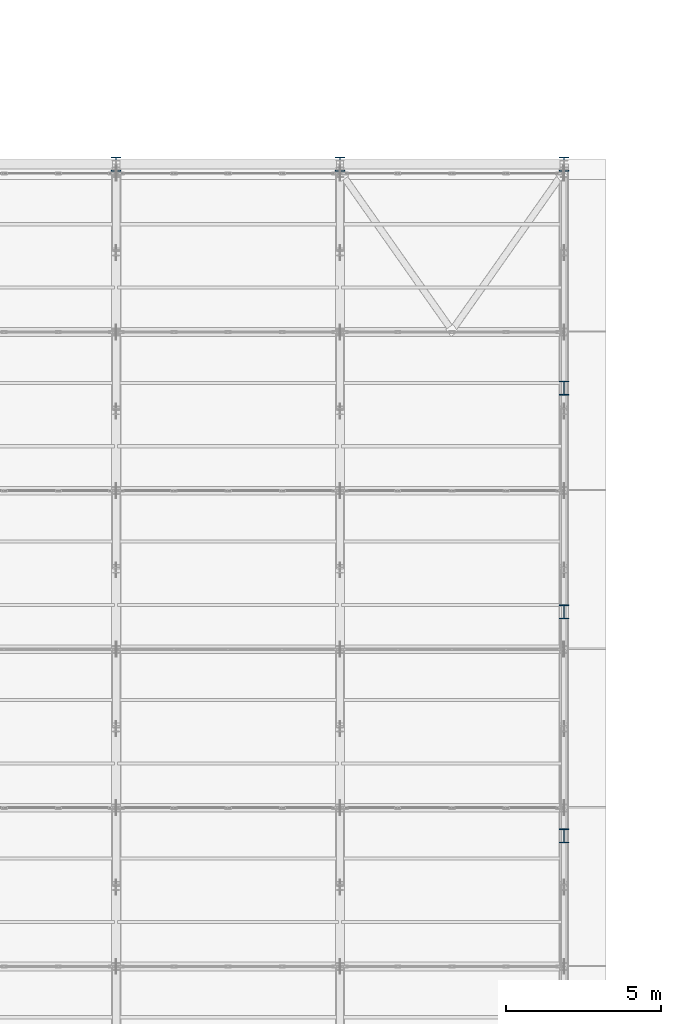
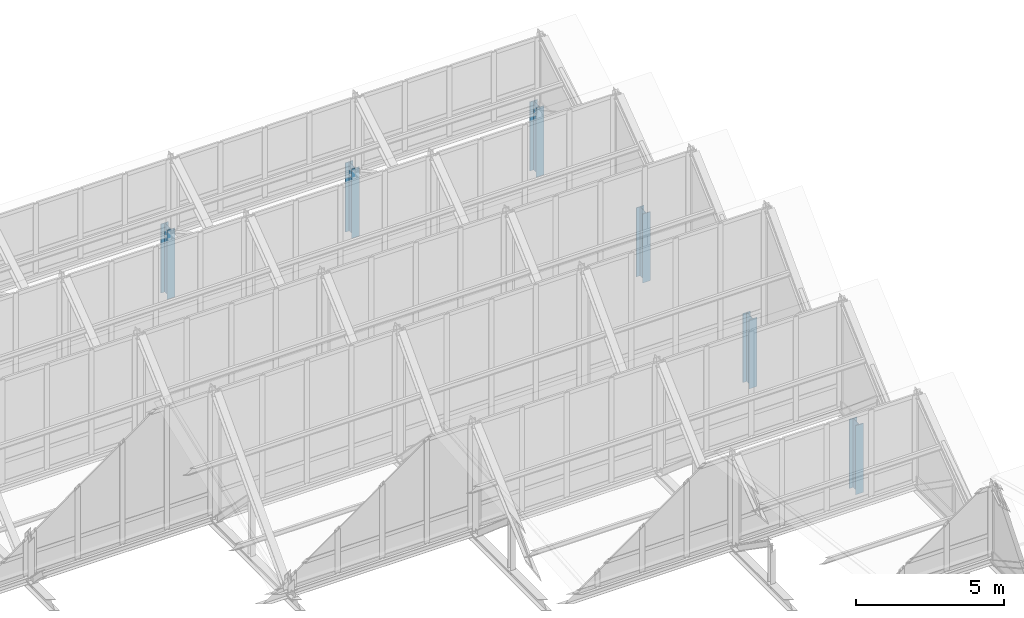
# One storey, part 10 of 157: 6 columns.
"""IFC4 building model written with IfcOpenShell, lengths in metres."""

import ifcopenshell
import ifcopenshell.guid

model = None  # the IFC model being written
_history = None  # IfcOwnerHistory: only IFC2X3 demands one
_inside = {}  # id of a spatial element -> (the spatial element, [elements in it])
_under = {}  # id of a project, library or spatial element -> (it, [spatial elements below it])
_declared = {}  # id of a project -> (the project, [libraries it declares])
_typed = {}  # id of a type object -> (the type object, [elements of that type])
_made_of = {}  # id of a material, layer set ... -> (it, [elements and type objects made of it])


def new_model(schema):
    """Start an empty IFC model of exactly this schema.

    Asked for "IFC4X3", IfcOpenShell would pick the latest addendum, in which some entities
    have other attributes; the version numbers below select the first issue.
    IFC2X3 requires an IfcOwnerHistory on every rooted entity: one is made here for all.
    """
    global model, _history
    if schema == "IFC4X3":
        model = ifcopenshell.file(schema_version=(4, 3, 0, 0))
    else:
        model = ifcopenshell.file(schema=schema)
    _inside.clear()
    _under.clear()
    _declared.clear()
    _typed.clear()
    _made_of.clear()
    _history = None
    if model.schema == "IFC2X3":
        org = make("IfcOrganization", Name="unknown")
        user = make(
            "IfcPersonAndOrganization",
            ThePerson=make("IfcPerson", FamilyName="unknown"),
            TheOrganization=org,
        )
        app = make(
            "IfcApplication",
            ApplicationDeveloper=org,
            Version="unknown",
            ApplicationFullName="unknown",
            ApplicationIdentifier="unknown",
        )
        _history = make(
            "IfcOwnerHistory",
            OwningUser=user,
            OwningApplication=app,
            ChangeAction="ADDED",
            CreationDate=0,
        )
    return model


def make(cls, **values):
    """One entity of the class cls with the attributes given. An attribute that is None is left unset."""
    return model.create_entity(
        cls, **{name: value for name, value in values.items() if value is not None}
    )


def rooted(cls, **values):
    """An entity with a GlobalId (a new one), such as an element, a storey or a relation."""
    return make(cls, GlobalId=ifcopenshell.guid.new(), OwnerHistory=_history, **values)


def si_unit(unit_type, name, prefix=None):
    """IfcSIUnit, for example si_unit("LENGTHUNIT", "METRE", prefix="MILLI")."""
    return make("IfcSIUnit", UnitType=unit_type, Prefix=prefix, Name=name)


def assignment(units):
    """IfcUnitAssignment: the units of a project."""
    return None if units is None else make("IfcUnitAssignment", Units=units)


def point(xyz):
    """IfcCartesianPoint."""
    return None if xyz is None else make("IfcCartesianPoint", Coordinates=xyz)


def direction(xyz):
    """IfcDirection."""
    return None if xyz is None else make("IfcDirection", DirectionRatios=xyz)


def frame(location, z_axis=None, x_axis=None):
    """IfcAxis2Placement3D, a coordinate frame: its origin and axes. An axis left out is left unset."""
    return make(
        "IfcAxis2Placement3D",
        Location=point(location),
        Axis=direction(z_axis),
        RefDirection=direction(x_axis),
    )


def frame_2d(location, x_axis=None):
    """IfcAxis2Placement2D, a coordinate frame in the plane: its origin and x axis."""
    return make(
        "IfcAxis2Placement2D", Location=point(location), RefDirection=direction(x_axis)
    )


def origin():
    """The frame at (0, 0, 0) with its axes left unset."""
    return frame((0.0, 0.0, 0.0))


def origin_2d():
    """The frame at (0, 0) in the plane with its x axis left unset."""
    return frame_2d((0.0, 0.0))


def place(relative_to, where):
    """IfcLocalPlacement: puts the frame where relative to a parent placement (None: the world)."""
    return make(
        "IfcLocalPlacement", PlacementRelTo=relative_to, RelativePlacement=where
    )


def context(
    kind, dimensions, precision=None, world=None, true_north=None, identifier=None
):
    """IfcGeometricRepresentationContext, for example the 3D "Model" context."""
    return make(
        "IfcGeometricRepresentationContext",
        ContextIdentifier=identifier,
        ContextType=kind,
        CoordinateSpaceDimension=dimensions,
        Precision=precision,
        WorldCoordinateSystem=world,
        TrueNorth=true_north,
    )


def subcontext(parent, identifier, kind, view, scale=None):
    """IfcGeometricRepresentationSubContext, for example "Body" below "Model"."""
    return make(
        "IfcGeometricRepresentationSubContext",
        ContextIdentifier=identifier,
        ContextType=kind,
        ParentContext=parent,
        TargetScale=scale,
        TargetView=view,
    )


def project(units=None, contexts=None):
    """IfcProject with its units and contexts."""
    return rooted(
        "IfcProject",
        Name="project",
        RepresentationContexts=contexts,
        UnitsInContext=assignment(units),
    )


def spatial(cls, under=None, at=None, **own):
    """A site, building, storey or space (cls), placed at a placement, below another one or the project."""
    s = rooted(cls, ObjectPlacement=at, **own)
    if under is not None:
        _under.setdefault(under.id(), (under, []))[1].append(s)
    return s


def profile(cls, at=None, kind="AREA", **sizes):
    """A parametric profile (cls). Its sizes go by their IFC names, for example OverallWidth=200.0."""
    return make(cls, ProfileType=kind, Position=at, **sizes)


def i_section(**sizes):
    """IfcIShapeProfileDef."""
    return profile("IfcIShapeProfileDef", **sizes)


def extrude(swept, where, along, depth):
    """IfcExtrudedAreaSolid: the profile swept, set in the frame where, extruded along a direction by depth."""
    return make(
        "IfcExtrudedAreaSolid",
        SweptArea=swept,
        Position=where,
        ExtrudedDirection=direction(along),
        Depth=depth,
    )


def shape(context_of_items, identifier, shape_type, items):
    """IfcShapeRepresentation: the items that make up one representation, for example the "Body"."""
    return make(
        "IfcShapeRepresentation",
        ContextOfItems=context_of_items,
        RepresentationIdentifier=identifier,
        RepresentationType=shape_type,
        Items=items,
    )


def material(Name=None, Category=None):
    """IfcMaterial."""
    return make("IfcMaterial", Name=Name, Category=Category)


def material_profile(
    of_material, cross_section, Name=None, Category=None, Priority=None
):
    """IfcMaterialProfile: a cross section and its material."""
    return make(
        "IfcMaterialProfile",
        Name=Name,
        Material=of_material,
        Profile=cross_section,
        Priority=Priority,
        Category=Category,
    )


def profile_set(profiles, Name=None, composite=None):
    """IfcMaterialProfileSet."""
    return make(
        "IfcMaterialProfileSet",
        Name=Name,
        MaterialProfiles=profiles,
        CompositeProfile=composite,
    )


def made_of(thing, what):
    """Note that an element or type object is made of a material, layer set ...; save() writes the relation."""
    if what is not None:
        _made_of.setdefault(what.id(), (what, []))[1].append(thing)
    return thing


def type_object(cls, material=None, **own):
    """A type object (cls), such as IfcWallType, which elements share."""
    return made_of(rooted(cls, **own), material)


def element(
    cls,
    number,
    at=None,
    inside=None,
    cuts=None,
    type_object=None,
    material=None,
    context=None,
    identifier="Body",
    shape_type=None,
    held_by="IfcProductDefinitionShape",
    body=None,
    shapes=None,
    **own,
):
    """One element of the class cls, such as IfcWall. Its Tag is "e" and its number.

    at: its placement. inside: the storey or other place that contains it. cuts: it is an
    opening in that element (IfcRelVoidsElement). A single representation is given by context,
    identifier, shape_type and body (its items); several are given by shapes. held_by: the class
    of the entity that holds the representations. save() writes the other relations.
    """
    e = rooted(cls, Tag="e%d" % number, ObjectPlacement=at, **own)
    if body is not None:
        shapes = [shape(context, identifier, shape_type, body)]
    if shapes is not None:
        e.Representation = make(held_by, Representations=shapes)
    if inside is not None:
        _inside.setdefault(inside.id(), (inside, []))[1].append(e)
    if cuts is not None:
        rooted(
            "IfcRelVoidsElement", RelatingBuildingElement=cuts, RelatedOpeningElement=e
        )
    if type_object is not None:
        _typed.setdefault(type_object.id(), (type_object, []))[1].append(e)
    return made_of(e, material)


def aggregate(whole, parts):
    """IfcRelAggregates: a whole, such as a stair, and the parts it consists of."""
    return rooted("IfcRelAggregates", RelatingObject=whole, RelatedObjects=parts)


def save(model, path):
    """Write the relations noted so far, then the file.

    IfcRelAggregates (storeys below a building ...), IfcRelContainedInSpatialStructure (elements
    in a storey), IfcRelDefinesByType, IfcRelAssociatesMaterial and IfcRelDeclares: one each for
    every whole, place, type object, material and project.
    """
    for whole, parts in _under.values():
        aggregate(whole, parts)
    for where, things in _inside.values():
        rooted(
            "IfcRelContainedInSpatialStructure",
            RelatedElements=things,
            RelatingStructure=where,
        )
    for kind, things in _typed.values():
        rooted("IfcRelDefinesByType", RelatedObjects=things, RelatingType=kind)
    for what, things in _made_of.values():
        rooted("IfcRelAssociatesMaterial", RelatedObjects=things, RelatingMaterial=what)
    for by, libraries in _declared.values():
        rooted("IfcRelDeclares", RelatingContext=by, RelatedDefinitions=libraries)
    model.write(path)


model = new_model("IFC4")

# Units and contexts
model_context = context("Model", 3, precision=1e-05, world=origin(), true_north=direction((0.0, 1.0)))
body_context = subcontext(model_context, "Body", "Model", "MODEL_VIEW")
ifc_project = project(units=[si_unit("LENGTHUNIT", "METRE"), si_unit("AREAUNIT", "SQUARE_METRE"), si_unit("VOLUMEUNIT", "CUBIC_METRE"), si_unit("PLANEANGLEUNIT", "RADIAN"), si_unit("MASSUNIT", "GRAM", prefix="KILO")], contexts=[model_context])

# Site, building, storey
site_placement = place(None, origin())
site = spatial("IfcSite", under=ifc_project, at=site_placement, CompositionType="ELEMENT")
building_placement = place(site_placement, origin())
building = spatial("IfcBuilding", under=site, at=building_placement, Name="Suanplinth Sawtooth Commons", CompositionType="ELEMENT")
storey_placement = place(building_placement, frame((0.0, 0.0, 9.0)))
storey = spatial("IfcBuildingStorey", under=building, at=storey_placement, Name="L02", CompositionType="ELEMENT", Elevation=9.0)

# Columns
ifc_material = material(Name="Steel S355JR", Category="steel")
ifc_material_profile = material_profile(ifc_material, i_section(OverallWidth=0.300048828125, OverallDepth=0.449951171875, WebThickness=0.013916015625, FlangeThickness=0.02587890625, at=origin_2d()), Name="HEB 450")
ifc_profile_set = profile_set([ifc_material_profile], Name="Steel S355JR")
column_type = type_object("IfcColumnType", Name="C-09", PredefinedType="COLUMN", material=ifc_profile_set)
for number, where, z_axis, x_axis, name in (
    (1, (100.800048828125, 86.39990234375, 0.0), (0.0, 0.0, 1.0), (1.0, 0.0, 0.0), "Column L02 15/N"),
    (2, (108.0, 86.39990234375, 0.0), (0.0, 0.0, 1.0), (1.0, 0.0, 0.0), "Column L02 16/N"),
    (3, (115.199951171875, 64.800048828125, 0.0), (0.0, 0.0, 1.0), (1.0, 0.0, 0.0), "Column L02 17/K"),
    (4, (115.199951171875, 72.0, 0.0), (0.0, 0.0, 1.0), (1.0, 0.0, 0.0), "Column L02 17/L"),
    (5, (115.199951171875, 79.199951171875, 0.0), (0.0, 0.0, 1.0), (1.0, 0.0, 0.0), "Column L02 17/M"),
    (6, (115.199951171875, 86.39990234375, 0.0), (0.0, 0.0, 1.0), (1.0, 0.0, 0.0), "Column L02 17/N"),
):
    element("IfcColumn", number, at=place(storey_placement, frame(where, z_axis=z_axis, x_axis=x_axis)), inside=storey, type_object=column_type, Name=name, PredefinedType="COLUMN", context=body_context, shape_type="SweptSolid", body=[
        extrude(i_section(OverallWidth=0.300048828125, OverallDepth=0.449951171875, WebThickness=0.013916015625, FlangeThickness=0.02587890625, at=origin_2d()), origin(), (0.0, 0.0, 1.0), 2.85009765625),
    ])

save(model, "model.ifc")
